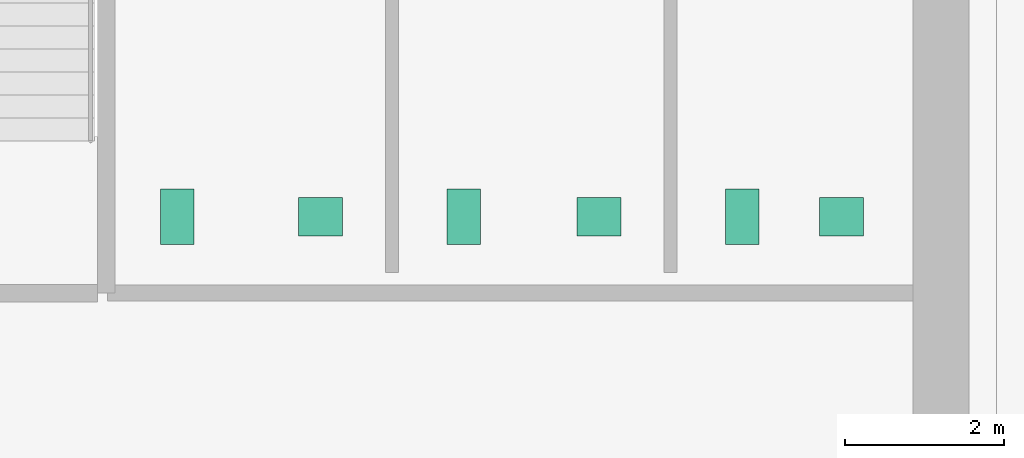
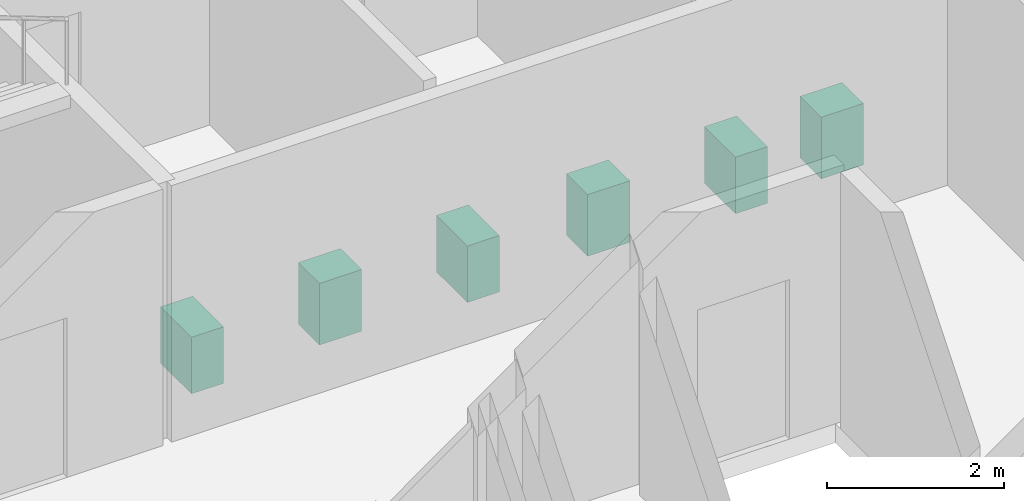
# One storey, part 13 of 13: 6 sanitary terminals.
"""IFC4 building model written with IfcOpenShell, lengths in metres."""

from ifc_helpers import new_model, si_unit, direction, frame, origin, origin_2d, place, context, subcontext, project, spatial, rectangle, extrude, material, type_object, element, save


model = new_model("IFC4")

# Units and contexts
model_context = context("Model", 3, precision=1e-05, world=origin(), true_north=direction((0.0, 1.0)))
body_context = subcontext(model_context, "Body", "Model", "MODEL_VIEW")
ifc_project = project(units=[si_unit("LENGTHUNIT", "METRE"), si_unit("AREAUNIT", "SQUARE_METRE"), si_unit("VOLUMEUNIT", "CUBIC_METRE"), si_unit("PLANEANGLEUNIT", "RADIAN"), si_unit("MASSUNIT", "GRAM", prefix="KILO")], contexts=[model_context])

# Site, building, storey
site_placement = place(None, origin())
site = spatial("IfcSite", under=ifc_project, at=site_placement, CompositionType="ELEMENT")
building_placement = place(site_placement, origin())
building = spatial("IfcBuilding", under=site, at=building_placement, Name="Norrvale University Quadrangle", CompositionType="ELEMENT")
storey_placement = place(building_placement, frame((0.0, 0.0, 175.0)))
storey = spatial("IfcBuildingStorey", under=building, at=storey_placement, Name="L44", CompositionType="ELEMENT", Elevation=175.0)

# Sanitary terminals
ifc_material = material(Name="Vitreous China Sanitaryware")
sanitary_terminal_type_1 = type_object("IfcSanitaryTerminalType", Name="Sanitary Wash Basin", PredefinedType="WASHHANDBASIN", material=ifc_material)
for number, where, z_axis, x_axis, name in (
    (1, (9.0, 41.10009765625, 0.0), (0.0, 0.0, 1.0), (1.0, 0.0, 0.0), "Accessible Countertop Washbasin L44-1"),
    (2, (12.5, 41.10009765625, 0.0), (0.0, 0.0, 1.0), (1.0, 0.0, 0.0), "Accessible Countertop Washbasin L44-2"),
    (3, (15.550048828125, 41.10009765625, 0.0), (0.0, 0.0, 1.0), (1.0, 0.0, 0.0), "Accessible Countertop Washbasin L44-3"),
):
    element("IfcSanitaryTerminal", number, at=place(storey_placement, frame(where, z_axis=z_axis, x_axis=x_axis)), inside=storey, type_object=sanitary_terminal_type_1, Name=name, PredefinedType="WASHHANDBASIN", context=body_context, shape_type="SweptSolid", body=[
        extrude(rectangle(XDim=0.550048828125, YDim=0.47998046875, at=origin_2d()), origin(), (0.0, 0.0, 1.0), 0.85009765625),
    ])
sanitary_terminal_type_2 = type_object("IfcSanitaryTerminalType", Name="Sanitary Water Closet", PredefinedType="TOILETPAN", material=ifc_material)
for number, where, z_axis, x_axis, name in (
    (4, (7.199951171875, 41.10009765625, 0.0), (0.0, 0.0, 1.0), (1.0, 0.0, 0.0), "Wall-Hung Water Closet L44-1"),
    (5, (10.800048828125, 41.10009765625, 0.0), (0.0, 0.0, 1.0), (1.0, 0.0, 0.0), "Wall-Hung Water Closet L44-2"),
    (6, (14.300048828125, 41.10009765625, 0.0), (0.0, 0.0, 1.0), (1.0, 0.0, 0.0), "Wall-Hung Water Closet L44-3"),
):
    element("IfcSanitaryTerminal", number, at=place(storey_placement, frame(where, z_axis=z_axis, x_axis=x_axis)), inside=storey, type_object=sanitary_terminal_type_2, Name=name, PredefinedType="TOILETPAN", context=body_context, shape_type="SweptSolid", body=[
        extrude(rectangle(XDim=0.419921875, YDim=0.699951171875, at=origin_2d()), origin(), (0.0, 0.0, 1.0), 0.780029296875),
    ])

save(model, "model.ifc")
